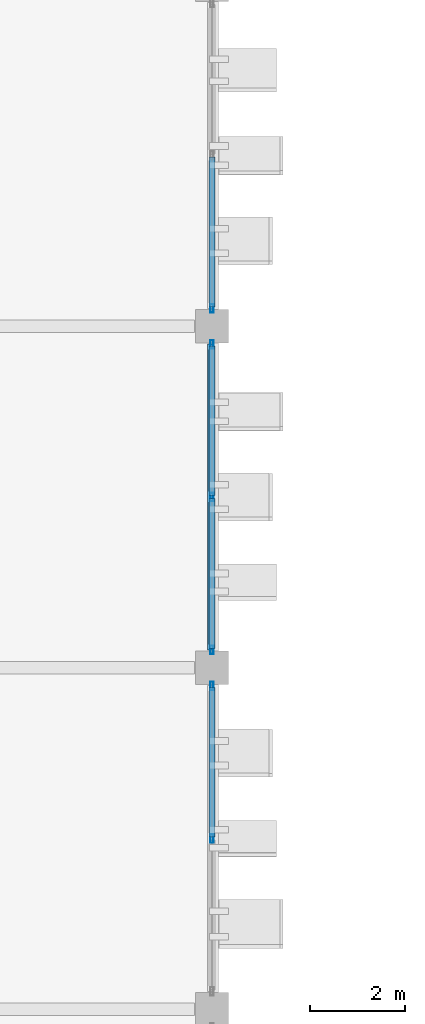
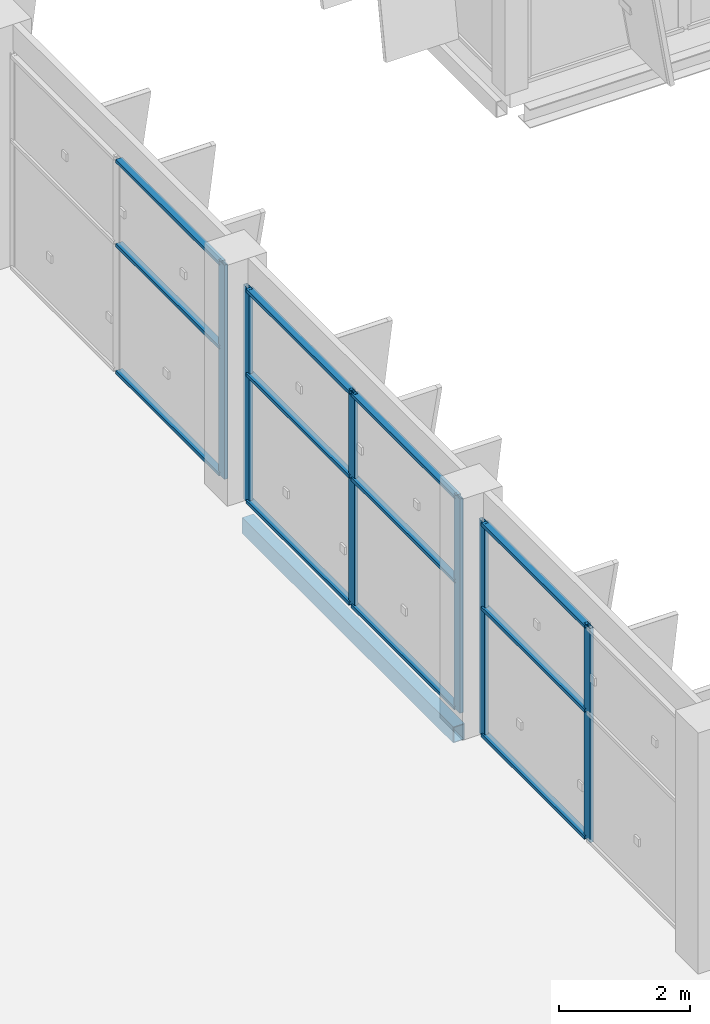
# One storey, part 56 of 151: 18 members, 1 beam, 3 elements without a shape of their own.
"""IFC4 building model written with IfcOpenShell, lengths in metres."""

from ifc_helpers import new_model, si_unit, direction, frame, origin, origin_2d, place, context, subcontext, project, spatial, hollow_rectangle, extrude, material, layer, layer_set, material_profile, profile_set, type_object, element, aggregate, save


model = new_model("IFC4")

# Units and contexts
model_context = context("Model", 3, precision=1e-05, world=origin(), true_north=direction((0.0, 1.0)))
body_context = subcontext(model_context, "Body", "Model", "MODEL_VIEW")
ifc_project = project(units=[si_unit("LENGTHUNIT", "METRE"), si_unit("AREAUNIT", "SQUARE_METRE"), si_unit("VOLUMEUNIT", "CUBIC_METRE"), si_unit("PLANEANGLEUNIT", "RADIAN"), si_unit("MASSUNIT", "GRAM", prefix="KILO")], contexts=[model_context])

# Site, building, storey
site_placement = place(None, origin())
site = spatial("IfcSite", under=ifc_project, at=site_placement, CompositionType="ELEMENT")
building_placement = place(site_placement, origin())
building = spatial("IfcBuilding", under=site, at=building_placement, Name="Celestram Park Convention Centre", CompositionType="ELEMENT")
storey_placement = place(building_placement, frame((0.0, 0.0, 10.800048828125)))
storey = spatial("IfcBuildingStorey", under=building, at=storey_placement, Name="L02", CompositionType="ELEMENT", Elevation=10.800048828125)

# Curtain wall, member
ifc_material_1 = material(Name="Anodised Aluminium Alloy 6063-T6", Category="aluminium")
ifc_layer = layer(ifc_material_1, 0.179931640625)
ifc_layer_set = layer_set([ifc_layer], Name="Anodised Aluminium Alloy 6063-T6")
curtain_wall_type = type_object("IfcCurtainWallType", Name="ARC-CW-650X400", PredefinedType="NOTDEFINED", material=ifc_layer_set)
curtain_wall_1_placement = place(storey_placement, origin())
curtain_wall_1 = element("IfcCurtainWall", 1, at=curtain_wall_1_placement, inside=storey, type_object=curtain_wall_type, Name="Unitised curtain wall CU-L02-182", PredefinedType="NOTDEFINED")
ifc_material_profile_1 = material_profile(ifc_material_1, hollow_rectangle(XDim=0.06494140625, YDim=0.179931640625, WallThickness=0.00390625, at=origin_2d()), Name="ALU65X180X4")
ifc_profile_set_1 = profile_set([ifc_material_profile_1], Name="Anodised Aluminium Alloy 6063-T6")
member_type_1 = type_object("IfcMemberType", Name="ARC-CWM-150", PredefinedType="MULLION", material=ifc_profile_set_1)
member_1_placement = place(storey_placement, frame((144.0, 108.380615234375, 0.0), z_axis=(0.0, 0.0, 1.0), x_axis=(1.0, 0.0, 0.0)))
member_1 = element("IfcMember", 2, at=member_1_placement, type_object=member_type_1, Name="CW-65X40 mullion 3", PredefinedType="MULLION", context=body_context, shape_type="SweptSolid", body=[
    extrude(hollow_rectangle(XDim=0.06494140625, YDim=0.179931640625, WallThickness=0.00390625, at=origin_2d()), origin(), (0.0, 0.0, 1.0), 4.0),
])

# Curtain wall, members
curtain_wall_2_placement = place(storey_placement, origin())
curtain_wall_2 = element("IfcCurtainWall", 3, at=curtain_wall_2_placement, inside=storey, type_object=curtain_wall_type, Name="Unitised curtain wall CU-L02-183", PredefinedType="NOTDEFINED")
member_2_placement = place(storey_placement, frame((144.0, 107.619384765625, 0.0), z_axis=(0.0, 0.0, 1.0), x_axis=(1.0, 0.0, 0.0)))
member_2 = element("IfcMember", 4, at=member_2_placement, type_object=member_type_1, Name="CW-65X40 mullion 1", PredefinedType="MULLION", context=body_context, shape_type="SweptSolid", body=[
    extrude(hollow_rectangle(XDim=0.06494140625, YDim=0.179931640625, WallThickness=0.00390625, at=origin_2d()), origin(), (0.0, 0.0, 1.0), 4.0),
])
member_3_placement = place(storey_placement, frame((144.0, 104.39990234375, 0.0), z_axis=(0.0, 0.0, 1.0), x_axis=(1.0, 0.0, 0.0)))
member_3 = element("IfcMember", 5, at=member_3_placement, type_object=member_type_1, Name="CW-65X40 mullion 2", PredefinedType="MULLION", context=body_context, shape_type="SweptSolid", body=[
    extrude(hollow_rectangle(XDim=0.06494140625, YDim=0.179931640625, WallThickness=0.00390625, at=origin_2d()), origin(), (0.0, 0.0, 1.0), 4.0),
])
member_4_placement = place(storey_placement, frame((144.0, 101.180419921875, 0.0), z_axis=(0.0, 0.0, 1.0), x_axis=(1.0, 0.0, 0.0)))
member_4 = element("IfcMember", 6, at=member_4_placement, type_object=member_type_1, Name="CW-65X40 mullion 3", PredefinedType="MULLION", context=body_context, shape_type="SweptSolid", body=[
    extrude(hollow_rectangle(XDim=0.06494140625, YDim=0.179931640625, WallThickness=0.00390625, at=origin_2d()), origin(), (0.0, 0.0, 1.0), 4.0),
])

curtain_wall_3_placement = place(storey_placement, origin())
curtain_wall_3 = element("IfcCurtainWall", 7, at=curtain_wall_3_placement, inside=storey, type_object=curtain_wall_type, Name="Unitised curtain wall CU-L02-184", PredefinedType="NOTDEFINED")
member_5_placement = place(storey_placement, frame((144.0, 100.41943359375, 0.0), z_axis=(0.0, 0.0, 1.0), x_axis=(1.0, 0.0, 0.0)))
member_5 = element("IfcMember", 8, at=member_5_placement, type_object=member_type_1, Name="CW-65X40 mullion 1", PredefinedType="MULLION", context=body_context, shape_type="SweptSolid", body=[
    extrude(hollow_rectangle(XDim=0.06494140625, YDim=0.179931640625, WallThickness=0.00390625, at=origin_2d()), origin(), (0.0, 0.0, 1.0), 4.0),
])
member_6_placement = place(storey_placement, frame((144.0, 97.199951171875, 0.0), z_axis=(0.0, 0.0, 1.0), x_axis=(1.0, 0.0, 0.0)))
member_6 = element("IfcMember", 9, at=member_6_placement, type_object=member_type_1, Name="CW-65X40 mullion 2", PredefinedType="MULLION", context=body_context, shape_type="SweptSolid", body=[
    extrude(hollow_rectangle(XDim=0.06494140625, YDim=0.179931640625, WallThickness=0.00390625, at=origin_2d()), origin(), (0.0, 0.0, 1.0), 4.0),
])

# Member
ifc_material_profile_2 = material_profile(ifc_material_1, hollow_rectangle(XDim=0.1201171875, YDim=0.06005859375, WallThickness=0.0029296875, at=origin_2d()), Name="ALU120X60X3")
ifc_profile_set_2 = profile_set([ifc_material_profile_2], Name="Anodised Aluminium Alloy 6063-T6")
member_type_2 = type_object("IfcMemberType", Name="ARC-CWT-120", PredefinedType="USERDEFINED", material=ifc_profile_set_2)
member_7_placement = place(storey_placement, frame((144.0, 111.5673828125, 0.030029296875), z_axis=(0.0, -1.0, 0.0), x_axis=(1.0, 0.0, 0.0)))
member_7 = element("IfcMember", 10, at=member_7_placement, type_object=member_type_2, Name="CW-65X40 transom 2.1", ObjectType="TRANSOM", PredefinedType="USERDEFINED", context=body_context, shape_type="SweptSolid", body=[
    extrude(hollow_rectangle(XDim=0.1201171875, YDim=0.06005859375, WallThickness=0.0029296875, at=origin_2d()), origin(), (0.0, 0.0, 1.0), 3.154296875),
])

member_8_placement = place(storey_placement, frame((144.0, 111.5673828125, 2.39990234375), z_axis=(0.0, -1.0, 0.0), x_axis=(1.0, 0.0, 0.0)))
member_8 = element("IfcMember", 11, at=member_8_placement, type_object=member_type_2, Name="CW-65X40 transom 2.2", ObjectType="TRANSOM", PredefinedType="USERDEFINED", context=body_context, shape_type="SweptSolid", body=[
    extrude(hollow_rectangle(XDim=0.1201171875, YDim=0.06005859375, WallThickness=0.0029296875, at=origin_2d()), origin(), (0.0, 0.0, 1.0), 3.154296875),
])

member_9_placement = place(storey_placement, frame((144.0, 111.5673828125, 3.969970703125), z_axis=(0.0, -1.0, 0.0), x_axis=(1.0, 0.0, 0.0)))
member_9 = element("IfcMember", 12, at=member_9_placement, type_object=member_type_2, Name="CW-65X40 transom 2.3", ObjectType="TRANSOM", PredefinedType="USERDEFINED", context=body_context, shape_type="SweptSolid", body=[
    extrude(hollow_rectangle(XDim=0.1201171875, YDim=0.06005859375, WallThickness=0.0029296875, at=origin_2d()), origin(), (0.0, 0.0, 1.0), 3.154296875),
])

aggregate(curtain_wall_1, [member_1, member_7, member_8, member_9])

member_10_placement = place(storey_placement, frame((144.0, 107.5869140625, 0.030029296875), z_axis=(0.0, -1.0, 0.0), x_axis=(1.0, 0.0, 0.0)))
member_10 = element("IfcMember", 13, at=member_10_placement, type_object=member_type_2, Name="CW-65X40 transom 1.1", ObjectType="TRANSOM", PredefinedType="USERDEFINED", context=body_context, shape_type="SweptSolid", body=[
    extrude(hollow_rectangle(XDim=0.1201171875, YDim=0.06005859375, WallThickness=0.0029296875, at=origin_2d()), origin(), (0.0, 0.0, 1.0), 3.154296875),
])

member_11_placement = place(storey_placement, frame((144.0, 107.5869140625, 2.39990234375), z_axis=(0.0, -1.0, 0.0), x_axis=(1.0, 0.0, 0.0)))
member_11 = element("IfcMember", 14, at=member_11_placement, type_object=member_type_2, Name="CW-65X40 transom 1.2", ObjectType="TRANSOM", PredefinedType="USERDEFINED", context=body_context, shape_type="SweptSolid", body=[
    extrude(hollow_rectangle(XDim=0.1201171875, YDim=0.06005859375, WallThickness=0.0029296875, at=origin_2d()), origin(), (0.0, 0.0, 1.0), 3.154296875),
])

member_12_placement = place(storey_placement, frame((144.0, 107.5869140625, 3.969970703125), z_axis=(0.0, -1.0, 0.0), x_axis=(1.0, 0.0, 0.0)))
member_12 = element("IfcMember", 15, at=member_12_placement, type_object=member_type_2, Name="CW-65X40 transom 1.3", ObjectType="TRANSOM", PredefinedType="USERDEFINED", context=body_context, shape_type="SweptSolid", body=[
    extrude(hollow_rectangle(XDim=0.1201171875, YDim=0.06005859375, WallThickness=0.0029296875, at=origin_2d()), origin(), (0.0, 0.0, 1.0), 3.154296875),
])

member_13_placement = place(storey_placement, frame((144.0, 104.367431640625, 0.030029296875), z_axis=(0.0, -1.0, 0.0), x_axis=(1.0, 0.0, 0.0)))
member_13 = element("IfcMember", 16, at=member_13_placement, type_object=member_type_2, Name="CW-65X40 transom 2.1", ObjectType="TRANSOM", PredefinedType="USERDEFINED", context=body_context, shape_type="SweptSolid", body=[
    extrude(hollow_rectangle(XDim=0.1201171875, YDim=0.06005859375, WallThickness=0.0029296875, at=origin_2d()), origin(), (0.0, 0.0, 1.0), 3.154541015625),
])

member_14_placement = place(storey_placement, frame((144.0, 104.367431640625, 2.39990234375), z_axis=(0.0, -1.0, 0.0), x_axis=(1.0, 0.0, 0.0)))
member_14 = element("IfcMember", 17, at=member_14_placement, type_object=member_type_2, Name="CW-65X40 transom 2.2", ObjectType="TRANSOM", PredefinedType="USERDEFINED", context=body_context, shape_type="SweptSolid", body=[
    extrude(hollow_rectangle(XDim=0.1201171875, YDim=0.06005859375, WallThickness=0.0029296875, at=origin_2d()), origin(), (0.0, 0.0, 1.0), 3.154541015625),
])

member_15_placement = place(storey_placement, frame((144.0, 104.367431640625, 3.969970703125), z_axis=(0.0, -1.0, 0.0), x_axis=(1.0, 0.0, 0.0)))
member_15 = element("IfcMember", 18, at=member_15_placement, type_object=member_type_2, Name="CW-65X40 transom 2.3", ObjectType="TRANSOM", PredefinedType="USERDEFINED", context=body_context, shape_type="SweptSolid", body=[
    extrude(hollow_rectangle(XDim=0.1201171875, YDim=0.06005859375, WallThickness=0.0029296875, at=origin_2d()), origin(), (0.0, 0.0, 1.0), 3.154541015625),
])

aggregate(curtain_wall_2, [member_2, member_3, member_4, member_10, member_11, member_12, member_13, member_14, member_15])

member_16_placement = place(storey_placement, frame((144.0, 100.386962890625, 0.030029296875), z_axis=(0.0, -1.0, 0.0), x_axis=(1.0, 0.0, 0.0)))
member_16 = element("IfcMember", 19, at=member_16_placement, type_object=member_type_2, Name="CW-65X40 transom 1.1", ObjectType="TRANSOM", PredefinedType="USERDEFINED", context=body_context, shape_type="SweptSolid", body=[
    extrude(hollow_rectangle(XDim=0.1201171875, YDim=0.06005859375, WallThickness=0.0029296875, at=origin_2d()), origin(), (0.0, 0.0, 1.0), 3.154541015625),
])

member_17_placement = place(storey_placement, frame((144.0, 100.386962890625, 2.39990234375), z_axis=(0.0, -1.0, 0.0), x_axis=(1.0, 0.0, 0.0)))
member_17 = element("IfcMember", 20, at=member_17_placement, type_object=member_type_2, Name="CW-65X40 transom 1.2", ObjectType="TRANSOM", PredefinedType="USERDEFINED", context=body_context, shape_type="SweptSolid", body=[
    extrude(hollow_rectangle(XDim=0.1201171875, YDim=0.06005859375, WallThickness=0.0029296875, at=origin_2d()), origin(), (0.0, 0.0, 1.0), 3.154541015625),
])

member_18_placement = place(storey_placement, frame((144.0, 100.386962890625, 3.969970703125), z_axis=(0.0, -1.0, 0.0), x_axis=(1.0, 0.0, 0.0)))
member_18 = element("IfcMember", 21, at=member_18_placement, type_object=member_type_2, Name="CW-65X40 transom 1.3", ObjectType="TRANSOM", PredefinedType="USERDEFINED", context=body_context, shape_type="SweptSolid", body=[
    extrude(hollow_rectangle(XDim=0.1201171875, YDim=0.06005859375, WallThickness=0.0029296875, at=origin_2d()), origin(), (0.0, 0.0, 1.0), 3.154541015625),
])

aggregate(curtain_wall_3, [member_5, member_6, member_16, member_17, member_18])

# Beam
ifc_material_2 = material(Name="Steel ASTM A500 Grade C", Category="steel")
ifc_material_profile_3 = material_profile(ifc_material_2, hollow_rectangle(XDim=0.199951171875, YDim=0.300048828125, WallThickness=0.011962890625, at=origin_2d()), Name="HSS300X200X12")
ifc_profile_set_3 = profile_set([ifc_material_profile_3], Name="Steel ASTM A500 Grade C")
beam_type = type_object("IfcBeamType", Name="STR-SPN-HSS300X200", PredefinedType="SPANDREL", material=ifc_profile_set_3)
beam_placement = place(storey_placement, frame((144.0, 101.173095703125, -0.429931640625), z_axis=(0.0, 1.0, 0.0), x_axis=(-1.0, 0.0, 0.0)))
element("IfcBeam", 22, at=beam_placement, inside=storey, type_object=beam_type, Name="Primary Y-girder BG-L02-0252", PredefinedType="SPANDREL", context=body_context, shape_type="SweptSolid", body=[
    extrude(hollow_rectangle(XDim=0.199951171875, YDim=0.300048828125, WallThickness=0.011962890625, at=origin_2d()), origin(), (0.0, 0.0, 1.0), 6.453857421875),
])

save(model, "model.ifc")
